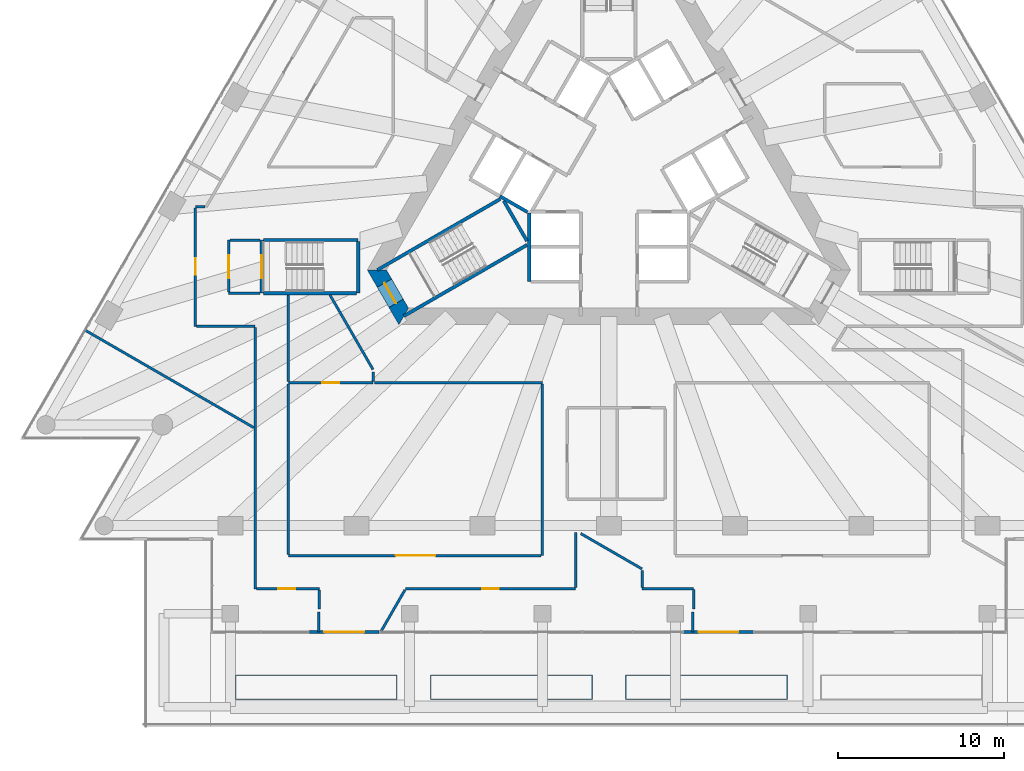
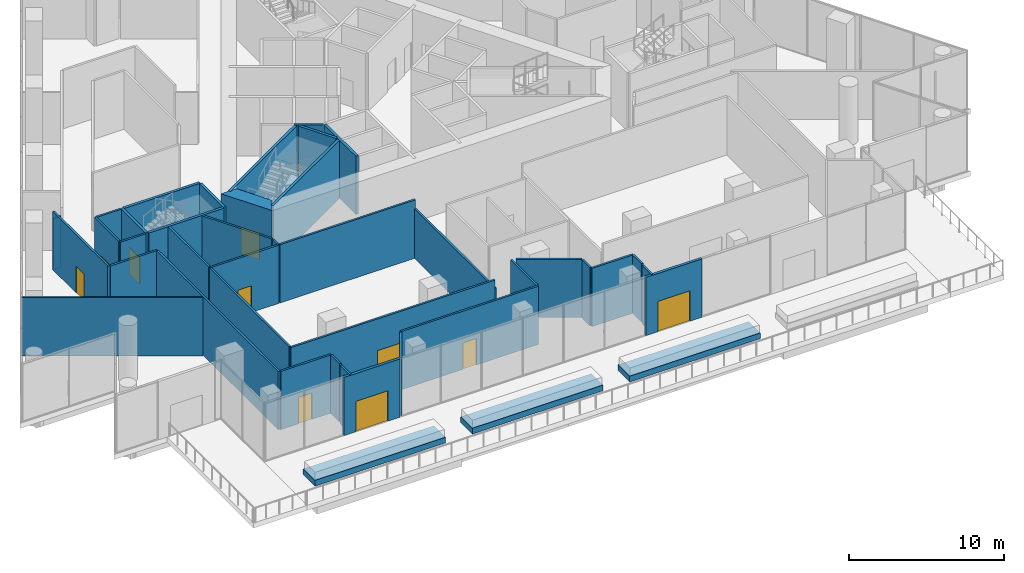
# One storey, part 25 of 32: 42 walls, 10 doors, 10 openings.
"""IFC4 building model written with IfcOpenShell, lengths in metres."""

from ifc_helpers import new_model, si_unit, direction, frame, frame_2d, origin, place, context, subcontext, project, spatial, polyline, rectangle, outline, extrude, material, layer, layer_set, layer_usage, type_object, element, fill, save


model = new_model("IFC4")

# Units and contexts
model_context = context("Model", 3, precision=1e-05, world=origin(), true_north=direction((0.0, 1.0)))
body_context = subcontext(model_context, "Body", "Model", "MODEL_VIEW")
ifc_project = project(units=[si_unit("LENGTHUNIT", "METRE"), si_unit("AREAUNIT", "SQUARE_METRE"), si_unit("VOLUMEUNIT", "CUBIC_METRE"), si_unit("PLANEANGLEUNIT", "RADIAN"), si_unit("MASSUNIT", "GRAM", prefix="KILO")], contexts=[model_context])

# Site, building, storey
site_placement = place(None, origin())
site = spatial("IfcSite", under=ifc_project, at=site_placement, CompositionType="ELEMENT")
building_placement = place(site_placement, origin())
building = spatial("IfcBuilding", under=site, at=building_placement, Name="Triada Interchange Tower", CompositionType="ELEMENT")
storey_placement = place(building_placement, frame((0.0, 0.0, 25.300048828125)))
storey = spatial("IfcBuildingStorey", under=building, at=storey_placement, Name="L04", CompositionType="ELEMENT", Elevation=25.300048828125)

# Walls
ifc_material_1 = material(Name="Concrete C30/37", Category="concrete")
ifc_layer_1 = layer(ifc_material_1, 0.199951171875)
ifc_layer_set_1 = layer_set([ifc_layer_1], Name="CORE WALL 200 EI 120")
wall_type_1 = type_object("IfcWallType", Name="CORE WALL 200 EI 120", PredefinedType="SOLIDWALL", material=ifc_layer_set_1)
wall_1_placement = place(storey_placement, frame((-4.800048828125, -6.89990234375, 0.0), z_axis=(0.0, 0.0, 1.0), x_axis=(0.0, 1.0, 0.0)))
element("IfcWall", 1, at=wall_1_placement, inside=storey, type_object=wall_type_1, Name="Wall L04 98", PredefinedType="SOLIDWALL", context=body_context, shape_type="SweptSolid", body=[
    extrude(rectangle(XDim=4.130859375, YDim=0.199951171875, at=frame_2d((2.0654296875, 0.0))), origin(), (0.0, 0.0, 1.0), 4.599853515625),
])
ifc_layer_2 = layer(ifc_material_1, 0.199951171875)
ifc_layer_set_2 = layer_set([ifc_layer_2], Name="CORE WALL 200 EI 180")
wall_type_2 = type_object("IfcWallType", Name="CORE WALL 200 EI 180", PredefinedType="SOLIDWALL", material=ifc_layer_set_2)
wall_2_placement = place(storey_placement, frame((-6.556884765625, -1.757080078125, 0.0), z_axis=(0.0, 0.0, 1.0), x_axis=(0.8659754619, -0.500086491905, 0.0)))
element("IfcWall", 2, at=wall_2_placement, inside=storey, type_object=wall_type_2, Name="Shaft wall FF1 L04 123", PredefinedType="SOLIDWALL", context=body_context, shape_type="SweptSolid", body=[
    extrude(rectangle(XDim=1.915771484375, YDim=0.199951171875, at=frame_2d((0.9580078125, 0.0))), origin(), (0.0, 0.0, 1.0), 4.599853515625),
])
ifc_layer_3 = layer(ifc_material_1, 0.199951171875)
ifc_layer_set_3 = layer_set([ifc_layer_3], Name="CORE WALL 200 REI 240")
wall_type_3 = type_object("IfcWallType", Name="CORE WALL 200 REI 240", PredefinedType="SOLIDWALL", material=ifc_layer_set_3)
wall_3_placement = place(storey_placement, frame((-13.946044921875, -6.2041015625, 0.0), z_axis=(0.0, 0.0, 1.0), x_axis=(0.866036527536, 0.499980732602, 0.0)))
element("IfcWall", 3, at=wall_3_placement, inside=storey, type_object=wall_type_3, Name="Wall L04 132", PredefinedType="SOLIDWALL", context=body_context, shape_type="SweptSolid", body=[
    extrude(rectangle(XDim=8.564208984375, YDim=0.199951171875, at=frame_2d((4.2822265625, 0.0))), origin(), (0.0, 0.0, 1.0), 4.599853515625),
])
wall_4_placement = place(storey_placement, frame((-6.3291015625, -2.0380859375, 0.0), z_axis=(0.0, 0.0, 1.0), x_axis=(0.500200581029, -0.865909567298, 0.0)))
element("IfcWall", 4, at=wall_4_placement, inside=storey, type_object=wall_type_3, Name="Wall L04 133", PredefinedType="SOLIDWALL", context=body_context, shape_type="SweptSolid", body=[
    extrude(rectangle(XDim=2.799072265625, YDim=0.199951171875, at=frame_2d((1.3994140625, 0.0))), origin(), (0.0, 0.0, 1.0), 4.599853515625),
])
wall_5_placement = place(storey_placement, frame((-12.345947265625, -8.97607421875, 0.0), z_axis=(0.0, 0.0, 1.0), x_axis=(0.865987152174, 0.50006624788, 0.0)))
element("IfcWall", 5, at=wall_5_placement, inside=storey, type_object=wall_type_3, Name="Wall L04 134", PredefinedType="SOLIDWALL", context=body_context, shape_type="SweptSolid", body=[
    extrude(rectangle(XDim=8.564697265625, YDim=0.199951171875, at=frame_2d((4.2822265625, 0.0))), origin(), (0.0, 0.0, 1.0), 4.599853515625),
])

# Wall, opening, door
wall_6_placement = place(storey_placement, frame((-20.89990234375, -7.60009765625, 0.0), z_axis=(0.0, 0.0, 1.0), x_axis=(0.0, 1.0, 0.0)))
wall_6 = element("IfcWall", 6, at=wall_6_placement, inside=storey, type_object=wall_type_3, Name="Wall L04 141", PredefinedType="SOLIDWALL", context=body_context, shape_type="SweptSolid", body=[
    extrude(rectangle(XDim=3.2001953125, YDim=0.199951171875, at=frame_2d((1.60009765625, 0.0))), origin(), (0.0, 0.0, 1.0), 4.599853515625),
])
opening_1_placement = place(wall_6_placement, frame((0.89990234375, 0.0, 0.0)))
opening_1 = element("IfcOpeningElement", 7, at=opening_1_placement, cuts=wall_6, Name="Opening D04-11", PredefinedType="OPENING", context=body_context, shape_type="SweptSolid", body=[
    extrude(rectangle(XDim=1.39990234375, YDim=2.10009765625, at=frame_2d((0.699951171875, 1.050048828125))), frame((0.0, 0.10986328125, 0.0), z_axis=(0.0, -1.0, 0.0), x_axis=(1.0, 0.0, 0.0)), (0.0, 0.0, 1.0), 0.219970703125),
])
ifc_material_2 = material(Name="Steel S235 door leaf", Category="steel")
door_type_1 = type_object("IfcDoorType", Name="STAIR DOOR 1400 EI2 90-C5S200", OperationType="DOUBLE_DOOR_SINGLE_SWING", PredefinedType="DOOR", material=ifc_material_2)
door_1_placement = place(opening_1_placement, origin())
door_1 = element("IfcDoor", 8, at=door_1_placement, inside=storey, type_object=door_type_1, Name="Door D04-11 L04", OperationType="DOUBLE_DOOR_SINGLE_SWING", OverallHeight=2.10009765625, OverallWidth=1.39990234375, PredefinedType="DOOR", context=body_context, shape_type="SweptSolid", body=[
    extrude(rectangle(XDim=1.39990234375, YDim=2.10009765625, at=frame_2d((0.699951171875, 1.050048828125))), frame((0.0, 0.02490234375, 0.0), z_axis=(0.0, -1.0, 0.0), x_axis=(1.0, 0.0, 0.0)), (0.0, 0.0, 1.0), 0.050048828125),
])
fill(opening_1, door_1)

# Walls
wall_7_placement = place(storey_placement, frame((-20.800048828125, -4.39990234375, 0.0), z_axis=(0.0, 0.0, 1.0), x_axis=(1.0, 0.0, 0.0)))
element("IfcWall", 9, at=wall_7_placement, inside=storey, type_object=wall_type_3, Name="Wall L04 142", PredefinedType="SOLIDWALL", context=body_context, shape_type="SweptSolid", body=[
    extrude(rectangle(XDim=5.699951171875, YDim=0.199951171875, at=frame_2d((2.85009765625, 0.0))), origin(), (0.0, 0.0, 1.0), 4.599853515625),
])
wall_8_placement = place(storey_placement, frame((-15.10009765625, -7.60009765625, 0.0), z_axis=(0.0, 0.0, 1.0), x_axis=(0.0, 1.0, 0.0)))
element("IfcWall", 10, at=wall_8_placement, inside=storey, type_object=wall_type_3, Name="Wall L04 144", PredefinedType="SOLIDWALL", context=body_context, shape_type="SweptSolid", body=[
    extrude(rectangle(XDim=3.10009765625, YDim=0.199951171875, at=frame_2d((1.550048828125, 0.0))), origin(), (0.0, 0.0, 1.0), 4.599853515625),
])
wall_9_placement = place(storey_placement, frame((-20.800048828125, -7.60009765625, 0.0), z_axis=(0.0, 0.0, 1.0), x_axis=(1.0, 0.0, 0.0)))
element("IfcWall", 11, at=wall_9_placement, inside=storey, type_object=wall_type_3, Name="Wall L04 145", PredefinedType="SOLIDWALL", context=body_context, shape_type="SweptSolid", body=[
    extrude(rectangle(XDim=5.60009765625, YDim=0.199951171875, at=frame_2d((2.800048828125, 0.0))), origin(), (0.0, 0.0, 1.0), 4.599853515625),
])

# Wall, opening, door
ifc_material_3 = material(Name="Concrete C70/85", Category="concrete")
ifc_layer_4 = layer(ifc_material_3, 1.0)
ifc_layer_set_4 = layer_set([ifc_layer_4], Name="Core wall P 1000")
wall_type_4 = type_object("IfcWallType", Name="Core wall P 1000", PredefinedType="SHEAR", material=ifc_layer_set_4)
wall_10_placement = place(storey_placement, frame((-13.971923828125, -6.199951171875, -0.400146484375), z_axis=(0.0, 0.0, 1.0), x_axis=(0.500077567175, -0.865980615723, 0.0)))
wall_10 = element("IfcWall", 12, at=wall_10_placement, inside=storey, type_object=wall_type_4, Name="Core wall WP03 L04", PredefinedType="SHEAR", context=body_context, shape_type="SweptSolid", body=[
    extrude(outline(polyline([(-0.2890625, -0.5), (1.616455078125, -0.5), (3.52197265625, -0.5), (2.944091796875, 0.4990234375), (1.61669921875, 0.49951171875), (0.2890625, 0.5), (-0.2890625, -0.5)])), origin(), (0.0, 0.0, 1.0), 5.0),
])
opening_2_placement = place(wall_10_placement, frame((0.9169921875, 0.0, 0.39990234375)))
opening_2 = element("IfcOpeningElement", 13, at=opening_2_placement, cuts=wall_10, Name="Opening D04-35", PredefinedType="OPENING", context=body_context, shape_type="SweptSolid", body=[
    extrude(rectangle(XDim=1.39990234375, YDim=2.10009765625, at=frame_2d((0.699951171875, 1.050048828125))), frame((0.0, 0.510009765625, 0.0), z_axis=(0.0, -1.0, 0.0), x_axis=(1.0, 0.0, 0.0)), (0.0, 0.0, 1.0), 1.02001953125),
])
door_2_placement = place(opening_2_placement, origin())
door_2 = element("IfcDoor", 14, at=door_2_placement, inside=storey, type_object=door_type_1, Name="Door D04-35 L04", OperationType="DOUBLE_DOOR_SINGLE_SWING", OverallHeight=2.10009765625, OverallWidth=1.39990234375, PredefinedType="DOOR", context=body_context, shape_type="SweptSolid", body=[
    extrude(rectangle(XDim=1.39990234375, YDim=2.10009765625, at=frame_2d((0.699951171875, 1.050048828125))), frame((0.0, 0.02490234375, 0.0), z_axis=(0.0, -1.0, 0.0), x_axis=(1.0, 0.0, 0.0)), (0.0, 0.0, 1.0), 0.050048828125),
])
fill(opening_2, door_2)

ifc_material_4 = material(Name="Cement board")
ifc_layer_5 = layer(ifc_material_4, 0.02001953125, Name="Cement board cladding")
ifc_material_5 = material(Name="Sheathing board")
ifc_layer_6 = layer(ifc_material_5, 0.014892578125, Name="Sheathing board")
ifc_material_6 = material(Name="Mineral wool")
ifc_layer_7 = layer(ifc_material_6, 0.14990234375, Name="Mineral wool between steel studs")
ifc_material_7 = material(Name="Gypsum board")
ifc_layer_8 = layer(ifc_material_7, 0.014892578125, Name="Plasterboard lining")
ifc_layer_set_5 = layer_set([ifc_layer_5, ifc_layer_6, ifc_layer_7, ifc_layer_8], Name="External wall 200")
ifc_layer_usage = layer_usage(ifc_layer_set_5, "AXIS2", "POSITIVE", -0.10009765625)
wall_type_5 = type_object("IfcWallType", Name="External wall 200", PredefinedType="ELEMENTEDWALL", material=ifc_layer_set_5)
wall_11_placement = place(storey_placement, frame((-18.032958984375, -28.0, 0.0), z_axis=(0.0, 0.0, 1.0), x_axis=(1.0, 0.0, 0.0)))
wall_11 = element("IfcWall", 15, at=wall_11_placement, inside=storey, type_object=wall_type_5, material=ifc_layer_usage, Name="External wall L04 00.1", PredefinedType="ELEMENTEDWALL", context=body_context, shape_type="SweptSolid", body=[
    extrude(rectangle(XDim=4.199951171875, YDim=0.199951171875, at=frame_2d((2.10009765625, 0.0))), origin(), (0.0, 0.0, 1.0), 4.599853515625),
])
opening_3_placement = place(wall_11_placement, frame((0.89990234375, 0.0, 0.0)))
opening_3 = element("IfcOpeningElement", 16, at=opening_3_placement, cuts=wall_11, Name="Opening DX50", PredefinedType="OPENING", context=body_context, shape_type="SweptSolid", body=[
    extrude(rectangle(XDim=2.39990234375, YDim=2.39990234375, at=frame_2d((1.199951171875, 1.199951171875))), frame((0.0, 0.10986328125, 0.0), z_axis=(0.0, -1.0, 0.0), x_axis=(1.0, 0.0, 0.0)), (0.0, 0.0, 1.0), 0.219970703125),
])
ifc_material_8 = material(Name="Aluminium and glass", Category="aluminium")
door_type_2 = type_object("IfcDoorType", Name="Terrace door double", OperationType="DOUBLE_DOOR_SINGLE_SWING", PredefinedType="DOOR", material=ifc_material_8)
door_3_placement = place(opening_3_placement, frame((2.39990234375, 0.0, 0.0), z_axis=(0.0, 0.0, 1.0), x_axis=(-1.0, 0.0, 0.0)))
door_3 = element("IfcDoor", 17, at=door_3_placement, inside=storey, type_object=door_type_2, Name="Door DX50 L04", OperationType="DOUBLE_DOOR_SINGLE_SWING", OverallHeight=2.39990234375, OverallWidth=2.39990234375, PredefinedType="DOOR", context=body_context, shape_type="SweptSolid", body=[
    extrude(rectangle(XDim=2.39990234375, YDim=2.39990234375, at=frame_2d((1.199951171875, 1.199951171875))), frame((0.0, 0.02490234375, 0.0), z_axis=(0.0, -1.0, 0.0), x_axis=(1.0, 0.0, 0.0)), (0.0, 0.0, 1.0), 0.050048828125),
])
fill(opening_3, door_3)

wall_12_placement = place(storey_placement, frame((4.5, -28.0, 0.0), z_axis=(0.0, 0.0, 1.0), x_axis=(1.0, 0.0, 0.0)))
wall_12 = element("IfcWall", 18, at=wall_12_placement, inside=storey, type_object=wall_type_5, material=ifc_layer_usage, Name="External wall L04 00.3", PredefinedType="ELEMENTEDWALL", context=body_context, shape_type="SweptSolid", body=[
    extrude(rectangle(XDim=4.199951171875, YDim=0.199951171875, at=frame_2d((2.10009765625, 0.0))), origin(), (0.0, 0.0, 1.0), 4.599853515625),
])
opening_4_placement = place(wall_12_placement, frame((0.89990234375, 0.0, 0.0)))
opening_4 = element("IfcOpeningElement", 19, at=opening_4_placement, cuts=wall_12, Name="Opening DX51", PredefinedType="OPENING", context=body_context, shape_type="SweptSolid", body=[
    extrude(rectangle(XDim=2.39990234375, YDim=2.39990234375, at=frame_2d((1.199951171875, 1.199951171875))), frame((0.0, 0.10986328125, 0.0), z_axis=(0.0, -1.0, 0.0), x_axis=(1.0, 0.0, 0.0)), (0.0, 0.0, 1.0), 0.219970703125),
])
door_4_placement = place(opening_4_placement, frame((2.39990234375, 0.0, 0.0), z_axis=(0.0, 0.0, 1.0), x_axis=(-1.0, 0.0, 0.0)))
door_4 = element("IfcDoor", 20, at=door_4_placement, inside=storey, type_object=door_type_2, Name="Door DX51 L04", OperationType="DOUBLE_DOOR_SINGLE_SWING", OverallHeight=2.39990234375, OverallWidth=2.39990234375, PredefinedType="DOOR", context=body_context, shape_type="SweptSolid", body=[
    extrude(rectangle(XDim=2.39990234375, YDim=2.39990234375, at=frame_2d((1.199951171875, 1.199951171875))), frame((0.0, 0.02490234375, 0.0), z_axis=(0.0, -1.0, 0.0), x_axis=(1.0, 0.0, 0.0)), (0.0, 0.0, 1.0), 0.050048828125),
])
fill(opening_4, door_4)

# Wall
ifc_material_9 = material(Name="Gypsum board partition")
ifc_layer_9 = layer(ifc_material_9, 0.14990234375)
ifc_layer_set_6 = layer_set([ifc_layer_9], Name="PARTITION 150 EI 180")
wall_type_6 = type_object("IfcWallType", Name="PARTITION 150 EI 180", PredefinedType="PARTITIONING", material=ifc_layer_set_6)
wall_13_placement = place(storey_placement, frame((-22.89990234375, -7.60009765625, 0.0), z_axis=(0.0, 0.0, 1.0), x_axis=(1.0, 0.0, 0.0)))
element("IfcWall", 21, at=wall_13_placement, inside=storey, type_object=wall_type_6, Name="Wall L04 1", PredefinedType="PARTITIONING", context=body_context, shape_type="SweptSolid", body=[
    extrude(rectangle(XDim=1.89990234375, YDim=0.14990234375, at=frame_2d((0.949951171875, 0.0))), origin(), (0.0, 0.0, 1.0), 4.599853515625),
])

# Wall, opening, door
wall_14_placement = place(storey_placement, frame((-22.89990234375, -7.52490234375, 0.0), z_axis=(0.0, 0.0, 1.0), x_axis=(0.0, 1.0, 0.0)))
wall_14 = element("IfcWall", 22, at=wall_14_placement, inside=storey, type_object=wall_type_6, Name="Wall L04 3", PredefinedType="PARTITIONING", context=body_context, shape_type="SweptSolid", body=[
    extrude(rectangle(XDim=3.125, YDim=0.14990234375, at=frame_2d((1.5625, 0.0))), origin(), (0.0, 0.0, 1.0), 4.599853515625),
])
opening_5_placement = place(wall_14_placement, frame((0.824951171875, 0.0, 0.0)))
opening_5 = element("IfcOpeningElement", 23, at=opening_5_placement, cuts=wall_14, Name="Opening D04-12", PredefinedType="OPENING", context=body_context, shape_type="SweptSolid", body=[
    extrude(rectangle(XDim=1.39990234375, YDim=2.10009765625, at=frame_2d((0.699951171875, 1.050048828125))), frame((0.0, 0.0849609375, 0.0), z_axis=(0.0, -1.0, 0.0), x_axis=(1.0, 0.0, 0.0)), (0.0, 0.0, 1.0), 0.169921875),
])
door_5_placement = place(opening_5_placement, origin())
door_5 = element("IfcDoor", 24, at=door_5_placement, inside=storey, type_object=door_type_1, Name="Door D04-12 L04", OperationType="DOUBLE_DOOR_SINGLE_SWING", OverallHeight=2.10009765625, OverallWidth=1.39990234375, PredefinedType="DOOR", context=body_context, shape_type="SweptSolid", body=[
    extrude(rectangle(XDim=1.39990234375, YDim=2.10009765625, at=frame_2d((0.699951171875, 1.050048828125))), frame((0.0, 0.02490234375, 0.0), z_axis=(0.0, -1.0, 0.0), x_axis=(1.0, 0.0, 0.0)), (0.0, 0.0, 1.0), 0.050048828125),
])
fill(opening_5, door_5)

# Wall
wall_15_placement = place(storey_placement, frame((-22.824951171875, -4.39990234375, 0.0), z_axis=(0.0, 0.0, 1.0), x_axis=(1.0, 0.0, 0.0)))
element("IfcWall", 25, at=wall_15_placement, inside=storey, type_object=wall_type_6, Name="Wall L04 4", PredefinedType="PARTITIONING", context=body_context, shape_type="SweptSolid", body=[
    extrude(rectangle(XDim=1.824951171875, YDim=0.14990234375, at=frame_2d((0.91259765625, 0.0))), origin(), (0.0, 0.0, 1.0), 4.599853515625),
])

# Wall, opening, door
wall_16_placement = place(storey_placement, frame((-19.300048828125, -13.0, 0.0), z_axis=(0.0, 0.0, 1.0), x_axis=(1.0, 0.0, 0.0)))
wall_16 = element("IfcWall", 26, at=wall_16_placement, inside=storey, type_object=wall_type_6, Name="Wall L04 6", PredefinedType="PARTITIONING", context=body_context, shape_type="SweptSolid", body=[
    extrude(rectangle(XDim=5.09716796875, YDim=0.14990234375, at=frame_2d((2.548583984375, 0.0))), origin(), (0.0, 0.0, 1.0), 4.599853515625),
])
opening_6_placement = place(wall_16_placement, frame((2.049072265625, 0.0, 0.0)))
opening_6 = element("IfcOpeningElement", 27, at=opening_6_placement, cuts=wall_16, Name="Opening D04-16", PredefinedType="OPENING", context=body_context, shape_type="SweptSolid", body=[
    extrude(rectangle(XDim=1.0, YDim=2.10009765625, at=frame_2d((0.5, 1.050048828125))), frame((0.0, 0.0849609375, 0.0), z_axis=(0.0, -1.0, 0.0), x_axis=(1.0, 0.0, 0.0)), (0.0, 0.0, 1.0), 0.169921875),
])
door_type_3 = type_object("IfcDoorType", Name="ROOM DOOR 1000 EI2 45-C5S200", OperationType="NOTDEFINED", PredefinedType="DOOR", material=ifc_material_2)
door_6_placement = place(opening_6_placement, origin())
door_6 = element("IfcDoor", 28, at=door_6_placement, inside=storey, type_object=door_type_3, Name="Door D04-16 L04", OperationType="SINGLE_SWING_LEFT", OverallHeight=2.10009765625, OverallWidth=1.0, PredefinedType="DOOR", context=body_context, shape_type="SweptSolid", body=[
    extrude(rectangle(XDim=1.0, YDim=2.10009765625, at=frame_2d((0.5, 1.050048828125))), frame((0.0, 0.02490234375, 0.0), z_axis=(0.0, -1.0, 0.0), x_axis=(1.0, 0.0, 0.0)), (0.0, 0.0, 1.0), 0.050048828125),
])
fill(opening_6, door_6)

# Walls
wall_17_placement = place(storey_placement, frame((-19.300048828125, -12.925048828125, 0.0), z_axis=(0.0, 0.0, 1.0), x_axis=(0.0, 1.0, 0.0)))
element("IfcWall", 29, at=wall_17_placement, inside=storey, type_object=wall_type_6, Name="Wall L04 7", PredefinedType="PARTITIONING", context=body_context, shape_type="SweptSolid", body=[
    extrude(rectangle(XDim=5.22509765625, YDim=0.14990234375, at=frame_2d((2.612548828125, 0.0))), origin(), (0.0, 0.0, 1.0), 4.599853515625),
])
wall_18_placement = place(storey_placement, frame((-16.801025390625, -7.699951171875, 0.0), z_axis=(0.0, 0.0, 1.0), x_axis=(0.50000986103, -0.866019710441, 0.0)))
element("IfcWall", 30, at=wall_18_placement, inside=storey, type_object=wall_type_6, Name="Wall L04 8", PredefinedType="PARTITIONING", context=body_context, shape_type="SweptSolid", body=[
    extrude(rectangle(XDim=5.1962890625, YDim=0.14990234375, at=frame_2d((2.59814453125, 0.0))), origin(), (0.0, 0.0, 1.0), 4.599853515625),
])
wall_19_placement = place(storey_placement, frame((-14.202880859375, -12.925048828125, 0.0), z_axis=(0.0, 0.0, 1.0), x_axis=(0.0, 1.0, 0.0)))
element("IfcWall", 31, at=wall_19_placement, inside=storey, type_object=wall_type_6, Name="Wall L04 9", PredefinedType="PARTITIONING", context=body_context, shape_type="SweptSolid", body=[
    extrude(rectangle(XDim=0.574951171875, YDim=0.14990234375, at=frame_2d((0.28759765625, 0.0))), origin(), (0.0, 0.0, 1.0), 4.599853515625),
])
ifc_layer_10 = layer(ifc_material_9, 0.14990234375)
ifc_layer_set_7 = layer_set([ifc_layer_10], Name="PARTITION 150 EI 90")
wall_type_7 = type_object("IfcWallType", Name="PARTITION 150 EI 90", PredefinedType="PARTITIONING", material=ifc_layer_set_7)
wall_20_placement = place(storey_placement, frame((-31.541015625, -9.830078125, 0.0), z_axis=(0.0, 0.0, 1.0), x_axis=(0.866006178148, -0.5000332983, 0.0)))
element("IfcWall", 32, at=wall_20_placement, inside=storey, type_object=wall_type_7, Name="Wall L04 11", PredefinedType="PARTITIONING", context=body_context, shape_type="SweptSolid", body=[
    extrude(rectangle(XDim=11.739013671875, YDim=0.14990234375, at=frame_2d((5.86962890625, 0.0))), origin(), (0.0, 0.0, 1.0), 4.599853515625),
])
wall_21_placement = place(storey_placement, frame((-24.89990234375, -2.39990234375, 0.0), z_axis=(0.0, 0.0, 1.0), x_axis=(1.0, 0.0, 0.0)))
element("IfcWall", 33, at=wall_21_placement, inside=storey, type_object=wall_type_7, Name="Wall L04 15", PredefinedType="PARTITIONING", context=body_context, shape_type="SweptSolid", body=[
    extrude(rectangle(XDim=0.56494140625, YDim=0.14990234375, at=frame_2d((0.282470703125, 0.0))), origin(), (0.0, 0.0, 1.0), 4.0),
])

# Wall, opening, door
wall_22_placement = place(storey_placement, frame((-24.89990234375, -9.60009765625, 0.0), z_axis=(0.0, 0.0, 1.0), x_axis=(0.0, 1.0, 0.0)))
wall_22 = element("IfcWall", 34, at=wall_22_placement, inside=storey, type_object=wall_type_7, Name="Wall L04 17", PredefinedType="PARTITIONING", context=body_context, shape_type="SweptSolid", body=[
    extrude(rectangle(XDim=7.125, YDim=0.14990234375, at=frame_2d((3.5625, 0.0))), origin(), (0.0, 0.0, 1.0), 4.599853515625),
])
opening_7_placement = place(wall_22_placement, frame((3.10009765625, 0.0, 0.0)))
opening_7 = element("IfcOpeningElement", 35, at=opening_7_placement, cuts=wall_22, Name="Opening D04-24", PredefinedType="OPENING", context=body_context, shape_type="SweptSolid", body=[
    extrude(rectangle(XDim=1.0, YDim=2.10009765625, at=frame_2d((0.5, 1.050048828125))), frame((0.0, 0.0849609375, 0.0), z_axis=(0.0, -1.0, 0.0), x_axis=(1.0, 0.0, 0.0)), (0.0, 0.0, 1.0), 0.169921875),
])
door_type_4 = type_object("IfcDoorType", Name="ROOM DOOR 1000 EI2 90-C5S200", OperationType="NOTDEFINED", PredefinedType="DOOR", material=ifc_material_2)
door_7_placement = place(opening_7_placement, origin())
door_7 = element("IfcDoor", 36, at=door_7_placement, inside=storey, type_object=door_type_4, Name="Door D04-24 L04", OperationType="SINGLE_SWING_LEFT", OverallHeight=2.10009765625, OverallWidth=1.0, PredefinedType="DOOR", context=body_context, shape_type="SweptSolid", body=[
    extrude(rectangle(XDim=1.0, YDim=2.10009765625, at=frame_2d((0.5, 1.050048828125))), frame((0.0, 0.02490234375, 0.0), z_axis=(0.0, -1.0, 0.0), x_axis=(1.0, 0.0, 0.0)), (0.0, 0.0, 1.0), 0.050048828125),
])
fill(opening_7, door_7)

# Walls
wall_23_placement = place(storey_placement, frame((-24.824951171875, -9.60009765625, 0.0), z_axis=(0.0, 0.0, 1.0), x_axis=(1.0, 0.0, 0.0)))
element("IfcWall", 37, at=wall_23_placement, inside=storey, type_object=wall_type_7, Name="Wall L04 18", PredefinedType="PARTITIONING", context=body_context, shape_type="SweptSolid", body=[
    extrude(rectangle(XDim=3.52490234375, YDim=0.14990234375, at=frame_2d((1.762451171875, 0.0))), origin(), (0.0, 0.0, 1.0), 4.599853515625),
])
wall_24_placement = place(storey_placement, frame((-21.300048828125, -25.39990234375, 0.0), z_axis=(0.0, 0.0, 1.0), x_axis=(0.0, 1.0, 0.0)))
element("IfcWall", 38, at=wall_24_placement, inside=storey, type_object=wall_type_7, Name="Wall L04 20", PredefinedType="PARTITIONING", context=body_context, shape_type="SweptSolid", body=[
    extrude(rectangle(XDim=15.724853515625, YDim=0.14990234375, at=frame_2d((7.8623046875, 0.0))), origin(), (0.0, 0.0, 1.0), 4.599853515625),
])

# Wall, opening, door
wall_25_placement = place(storey_placement, frame((-21.22509765625, -25.39990234375, 0.0), z_axis=(0.0, 0.0, 1.0), x_axis=(1.0, 0.0, 0.0)))
wall_25 = element("IfcWall", 39, at=wall_25_placement, inside=storey, type_object=wall_type_7, Name="Wall L04 21", PredefinedType="PARTITIONING", context=body_context, shape_type="SweptSolid", body=[
    extrude(rectangle(XDim=3.7919921875, YDim=0.14990234375, at=frame_2d((1.89599609375, 0.0))), origin(), (0.0, 0.0, 1.0), 4.599853515625),
])
opening_8_placement = place(wall_25_placement, frame((1.324951171875, 0.0, 0.0)))
opening_8 = element("IfcOpeningElement", 40, at=opening_8_placement, cuts=wall_25, Name="Opening D04-23", PredefinedType="OPENING", context=body_context, shape_type="SweptSolid", body=[
    extrude(rectangle(XDim=1.0, YDim=2.10009765625, at=frame_2d((0.5, 1.050048828125))), frame((0.0, 0.0849609375, 0.0), z_axis=(0.0, -1.0, 0.0), x_axis=(1.0, 0.0, 0.0)), (0.0, 0.0, 1.0), 0.169921875),
])
door_8_placement = place(opening_8_placement, origin())
door_8 = element("IfcDoor", 41, at=door_8_placement, inside=storey, type_object=door_type_3, Name="Door D04-23 L04", OperationType="SINGLE_SWING_RIGHT", OverallHeight=2.10009765625, OverallWidth=1.0, PredefinedType="DOOR", context=body_context, shape_type="SweptSolid", body=[
    extrude(rectangle(XDim=1.0, YDim=2.10009765625, at=frame_2d((0.5, 1.050048828125))), frame((0.0, 0.02490234375, 0.0), z_axis=(0.0, -1.0, 0.0), x_axis=(1.0, 0.0, 0.0)), (0.0, 0.0, 1.0), 0.050048828125),
])
fill(opening_8, door_8)

wall_26_placement = place(storey_placement, frame((-12.239990234375, -25.39990234375, 0.0), z_axis=(0.0, 0.0, 1.0), x_axis=(1.0, 0.0, 0.0)))
wall_26 = element("IfcWall", 42, at=wall_26_placement, inside=storey, type_object=wall_type_7, Name="Wall L04 22", PredefinedType="PARTITIONING", context=body_context, shape_type="SweptSolid", body=[
    extrude(rectangle(XDim=10.239990234375, YDim=0.14990234375, at=frame_2d((5.1201171875, 0.0))), origin(), (0.0, 0.0, 1.0), 4.599853515625),
])
opening_9_placement = place(wall_26_placement, frame((4.6201171875, 0.0, 0.0)))
opening_9 = element("IfcOpeningElement", 43, at=opening_9_placement, cuts=wall_26, Name="Opening D04-30", PredefinedType="OPENING", context=body_context, shape_type="SweptSolid", body=[
    extrude(rectangle(XDim=1.0, YDim=2.10009765625, at=frame_2d((0.5, 1.050048828125))), frame((0.0, 0.0849609375, 0.0), z_axis=(0.0, -1.0, 0.0), x_axis=(1.0, 0.0, 0.0)), (0.0, 0.0, 1.0), 0.169921875),
])
door_9_placement = place(opening_9_placement, origin())
door_9 = element("IfcDoor", 44, at=door_9_placement, inside=storey, type_object=door_type_4, Name="Door D04-30 L04", OperationType="SINGLE_SWING_LEFT", OverallHeight=2.10009765625, OverallWidth=1.0, PredefinedType="DOOR", context=body_context, shape_type="SweptSolid", body=[
    extrude(rectangle(XDim=1.0, YDim=2.10009765625, at=frame_2d((0.5, 1.050048828125))), frame((0.0, 0.02490234375, 0.0), z_axis=(0.0, -1.0, 0.0), x_axis=(1.0, 0.0, 0.0)), (0.0, 0.0, 1.0), 0.050048828125),
])
fill(opening_9, door_9)

# Walls
wall_27_placement = place(storey_placement, frame((2.0, -25.39990234375, 0.0), z_axis=(0.0, 0.0, 1.0), x_axis=(1.0, 0.0, 0.0)))
element("IfcWall", 45, at=wall_27_placement, inside=storey, type_object=wall_type_7, Name="Wall L04 23", PredefinedType="PARTITIONING", context=body_context, shape_type="SweptSolid", body=[
    extrude(rectangle(XDim=3.10009765625, YDim=0.14990234375, at=frame_2d((1.550048828125, 0.0))), origin(), (0.0, 0.0, 1.0), 4.599853515625),
])
wall_28_placement = place(storey_placement, frame((-17.43310546875, -26.62109375, 0.0), z_axis=(0.0, 0.0, 1.0), x_axis=(0.0, 1.0, 0.0)))
element("IfcWall", 46, at=wall_28_placement, inside=storey, type_object=wall_type_7, Name="Wall L04 24", PredefinedType="PARTITIONING", context=body_context, shape_type="SweptSolid", body=[
    extrude(rectangle(XDim=1.14599609375, YDim=0.14990234375, at=frame_2d((0.572998046875, 0.0))), origin(), (0.0, 0.0, 1.0), 4.599853515625),
])
wall_29_placement = place(storey_placement, frame((-17.48291015625, -28.0, 0.0), z_axis=(0.0, 0.0, 1.0), x_axis=(0.0, 1.0, 0.0)))
element("IfcWall", 47, at=wall_29_placement, inside=storey, type_object=wall_type_7, Name="Wall L04 25", PredefinedType="PARTITIONING", context=body_context, shape_type="SweptSolid", body=[
    extrude(rectangle(XDim=1.199951171875, YDim=0.14990234375, at=frame_2d((0.60009765625, 0.0))), origin(), (0.0, 0.0, 1.0), 4.599853515625),
])
wall_30_placement = place(storey_placement, frame((-14.1298828125, -13.0, 0.0), z_axis=(0.0, 0.0, 1.0), x_axis=(1.0, 0.0, 0.0)))
element("IfcWall", 48, at=wall_30_placement, inside=storey, type_object=wall_type_7, Name="Wall L04 28", PredefinedType="PARTITIONING", context=body_context, shape_type="SweptSolid", body=[
    extrude(rectangle(XDim=10.1298828125, YDim=0.14990234375, at=frame_2d((5.06494140625, 0.0))), origin(), (0.0, 0.0, 1.0), 4.599853515625),
])
wall_31_placement = place(storey_placement, frame((-4.0, -23.39990234375, 0.0), z_axis=(0.0, 0.0, 1.0), x_axis=(0.0, 1.0, 0.0)))
element("IfcWall", 49, at=wall_31_placement, inside=storey, type_object=wall_type_7, Name="Wall L04 30", PredefinedType="PARTITIONING", context=body_context, shape_type="SweptSolid", body=[
    extrude(rectangle(XDim=10.324951171875, YDim=0.14990234375, at=frame_2d((5.16259765625, 0.0))), origin(), (0.0, 0.0, 1.0), 3.89990234375),
])

# Wall, opening, door
wall_32_placement = place(storey_placement, frame((-19.300048828125, -23.39990234375, 0.0), z_axis=(0.0, 0.0, 1.0), x_axis=(1.0, 0.0, 0.0)))
wall_32 = element("IfcWall", 50, at=wall_32_placement, inside=storey, type_object=wall_type_7, Name="Wall L04 31", PredefinedType="PARTITIONING", context=body_context, shape_type="SweptSolid", body=[
    extrude(rectangle(XDim=15.22509765625, YDim=0.14990234375, at=frame_2d((7.612548828125, 0.0))), origin(), (0.0, 0.0, 1.0), 4.599853515625),
])
opening_10_placement = place(wall_32_placement, frame((6.449951171875, 0.0, 0.0)))
opening_10 = element("IfcOpeningElement", 51, at=opening_10_placement, cuts=wall_32, Name="Opening D04-15", PredefinedType="OPENING", context=body_context, shape_type="SweptSolid", body=[
    extrude(rectangle(XDim=2.39990234375, YDim=2.10009765625, at=frame_2d((1.199951171875, 1.050048828125))), frame((0.0, 0.0849609375, 0.0), z_axis=(0.0, -1.0, 0.0), x_axis=(1.0, 0.0, 0.0)), (0.0, 0.0, 1.0), 0.169921875),
])
door_type_5 = type_object("IfcDoorType", Name="SHOP AND HALL ENTRANCE DOOR 2400 EI2 90-C5S200", OperationType="DOUBLE_DOOR_SINGLE_SWING", PredefinedType="DOOR", material=ifc_material_2)
door_10_placement = place(opening_10_placement, origin())
door_10 = element("IfcDoor", 52, at=door_10_placement, inside=storey, type_object=door_type_5, Name="Door D04-15 L04", OperationType="DOUBLE_DOOR_SINGLE_SWING", OverallHeight=2.10009765625, OverallWidth=2.39990234375, PredefinedType="DOOR", context=body_context, shape_type="SweptSolid", body=[
    extrude(rectangle(XDim=2.39990234375, YDim=2.10009765625, at=frame_2d((1.199951171875, 1.050048828125))), frame((0.0, 0.02490234375, 0.0), z_axis=(0.0, -1.0, 0.0), x_axis=(1.0, 0.0, 0.0)), (0.0, 0.0, 1.0), 0.050048828125),
])
fill(opening_10, door_10)

# Walls
wall_33_placement = place(storey_placement, frame((-19.300048828125, -23.324951171875, 0.0), z_axis=(0.0, 0.0, 1.0), x_axis=(0.0, 1.0, 0.0)))
element("IfcWall", 53, at=wall_33_placement, inside=storey, type_object=wall_type_7, Name="Wall L04 33", PredefinedType="PARTITIONING", context=body_context, shape_type="SweptSolid", body=[
    extrude(rectangle(XDim=10.25, YDim=0.14990234375, at=frame_2d((5.125, 0.0))), origin(), (0.0, 0.0, 1.0), 4.599853515625),
])
wall_34_placement = place(storey_placement, frame((-13.740966796875, -28.0, 0.0), z_axis=(0.0, 0.0, 1.0), x_axis=(0.500065532695, 0.865987565159, 0.0)))
element("IfcWall", 54, at=wall_34_placement, inside=storey, type_object=wall_type_7, Name="Wall L04 42", PredefinedType="PARTITIONING", context=body_context, shape_type="SweptSolid", body=[
    extrude(rectangle(XDim=2.91552734375, YDim=0.14990234375, at=frame_2d((1.457763671875, 0.0))), origin(), (0.0, 0.0, 1.0), 4.599853515625),
])
wall_35_placement = place(storey_placement, frame((-2.0, -25.324951171875, 0.0), z_axis=(0.0, 0.0, 1.0), x_axis=(0.0, 1.0, 0.0)))
element("IfcWall", 55, at=wall_35_placement, inside=storey, type_object=wall_type_7, Name="Wall L04 43", PredefinedType="PARTITIONING", context=body_context, shape_type="SweptSolid", body=[
    extrude(rectangle(XDim=3.324951171875, YDim=0.14990234375, at=frame_2d((1.66259765625, 0.0))), origin(), (0.0, 0.0, 1.0), 4.599853515625),
])
wall_36_placement = place(storey_placement, frame((-1.695068359375, -22.074951171875, 0.0), z_axis=(0.0, 0.0, 1.0), x_axis=(0.86605504461, -0.49994865707, 0.0)))
element("IfcWall", 56, at=wall_36_placement, inside=storey, type_object=wall_type_7, Name="Wall L04 44", PredefinedType="PARTITIONING", context=body_context, shape_type="SweptSolid", body=[
    extrude(rectangle(XDim=4.2666015625, YDim=0.14990234375, at=frame_2d((2.13330078125, 0.0))), origin(), (0.0, 0.0, 1.0), 4.599853515625),
])
wall_37_placement = place(storey_placement, frame((2.0, -25.324951171875, 0.0), z_axis=(0.0, 0.0, 1.0), x_axis=(0.0, 1.0, 0.0)))
element("IfcWall", 57, at=wall_37_placement, inside=storey, type_object=wall_type_7, Name="Wall L04 45", PredefinedType="PARTITIONING", context=body_context, shape_type="SweptSolid", body=[
    extrude(rectangle(XDim=1.030029296875, YDim=0.14990234375, at=frame_2d((0.51513671875, 0.0))), origin(), (0.0, 0.0, 1.0), 4.599853515625),
])
wall_38_placement = place(storey_placement, frame((5.10009765625, -26.62109375, 0.0), z_axis=(0.0, 0.0, 1.0), x_axis=(0.0, 1.0, 0.0)))
element("IfcWall", 58, at=wall_38_placement, inside=storey, type_object=wall_type_7, Name="Wall L04 46", PredefinedType="PARTITIONING", context=body_context, shape_type="SweptSolid", body=[
    extrude(rectangle(XDim=1.166015625, YDim=0.14990234375, at=frame_2d((0.5830078125, 0.0))), origin(), (0.0, 0.0, 1.0), 4.599853515625),
])
wall_39_placement = place(storey_placement, frame((5.050048828125, -28.0, 0.0), z_axis=(0.0, 0.0, 1.0), x_axis=(0.0, 1.0, 0.0)))
element("IfcWall", 59, at=wall_39_placement, inside=storey, type_object=wall_type_7, Name="Wall L04 47", PredefinedType="PARTITIONING", context=body_context, shape_type="SweptSolid", body=[
    extrude(rectangle(XDim=1.199951171875, YDim=0.14990234375, at=frame_2d((0.60009765625, 0.0))), origin(), (0.0, 0.0, 1.0), 4.599853515625),
])
ifc_layer_11 = layer(ifc_material_1, 1.5)
ifc_layer_set_8 = layer_set([ifc_layer_11], Name="Planter bed 450")
wall_type_8 = type_object("IfcWallType", Name="Planter bed 450", PredefinedType="STANDARD", material=ifc_layer_set_8)
for number, where, z_axis, x_axis, name in (
    (60, (-22.5, -31.330078125, 0.0), (0.0, 0.0, 1.0), (1.0, 0.0, 0.0), "PLANTER L04 16"),
    (61, (-10.75, -31.330078125, 0.0), (0.0, 0.0, 1.0), (1.0, 0.0, 0.0), "PLANTER L04 17"),
    (62, (1.0, -31.330078125, 0.0), (0.0, 0.0, 1.0), (1.0, 0.0, 0.0), "PLANTER L04 18"),
):
    element("IfcWall", number, at=place(storey_placement, frame(where, z_axis=z_axis, x_axis=x_axis)), inside=storey, type_object=wall_type_8, Name=name, PredefinedType="STANDARD", context=body_context, shape_type="SweptSolid", body=[
        extrude(rectangle(XDim=9.75, YDim=1.5, at=frame_2d((4.875, 0.0))), origin(), (0.0, 0.0, 1.0), 0.449951171875),
    ])

save(model, "model.ifc")
